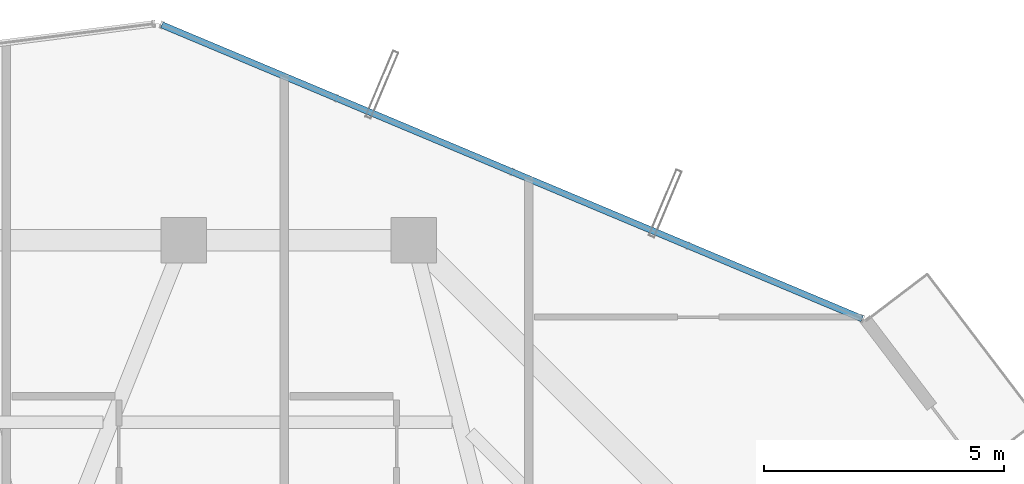
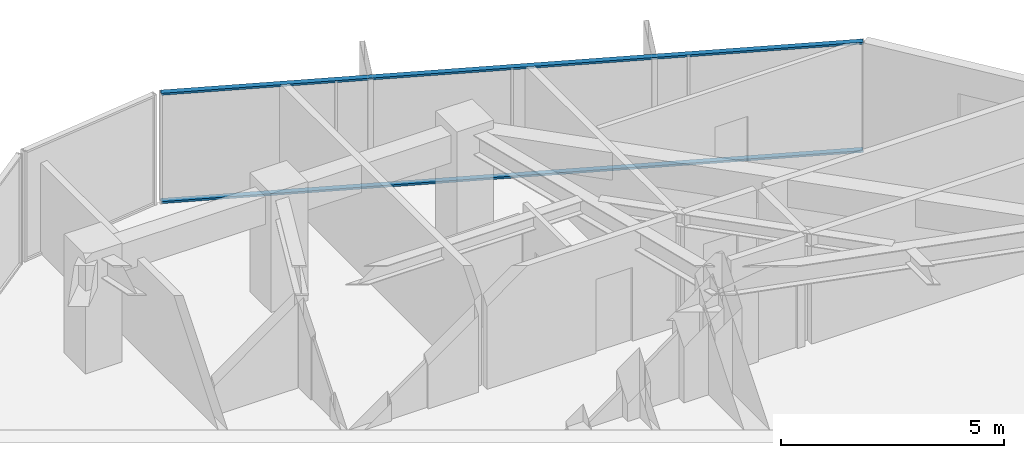
# One storey, part 25 of 32: 2 members, 1 element without a shape of its own.
"""IFC4 building model written with IfcOpenShell, lengths in metres."""

from ifc_helpers import new_model, si_unit, direction, frame, origin, origin_2d, place, context, subcontext, project, spatial, hollow_rectangle, extrude, source, transform, mapped, material, layer, layer_set, material_profile, profile_set, type_object, element, aggregate, save


model = new_model("IFC4")

# Units and contexts
model_context = context("Model", 3, precision=1e-05, world=origin(), true_north=direction((0.0, 1.0)))
body_context = subcontext(model_context, "Body", "Model", "MODEL_VIEW")
ifc_project = project(units=[si_unit("LENGTHUNIT", "METRE"), si_unit("AREAUNIT", "SQUARE_METRE"), si_unit("VOLUMEUNIT", "CUBIC_METRE"), si_unit("PLANEANGLEUNIT", "RADIAN"), si_unit("MASSUNIT", "GRAM", prefix="KILO")], contexts=[model_context])

# Site, building, storey
site_placement = place(None, origin())
site = spatial("IfcSite", under=ifc_project, at=site_placement, CompositionType="ELEMENT")
building_placement = place(site_placement, origin())
building = spatial("IfcBuilding", under=site, at=building_placement, Name="Veraguas Prism Commons", CompositionType="ELEMENT")
storey_placement = place(building_placement, frame((0.0, 0.0, 182.10009765625)))
storey = spatial("IfcBuildingStorey", under=building, at=storey_placement, Name="L51", CompositionType="ELEMENT", Elevation=182.10009765625)

# Curtain wall, members
ifc_material = material(Name="Anodised aluminium EN AW-6063 T6", Category="aluminium")
ifc_layer = layer(ifc_material, 0.14990234375, Name="Unitised Flush Curtain Wall Zone 3", Category="aluminium")
ifc_layer_set = layer_set([ifc_layer], Name="Anodised aluminium EN AW-6063 T6")
curtain_wall_type = type_object("IfcCurtainWallType", Name="Unitised Flush Curtain Wall Zone 3", PredefinedType="NOTDEFINED", material=ifc_layer_set)
curtain_wall_placement = place(storey_placement, origin())
curtain_wall = element("IfcCurtainWall", 1, at=curtain_wall_placement, inside=storey, type_object=curtain_wall_type, Name="Tower Facade Curtain Wall L51-F1", PredefinedType="NOTDEFINED")
ifc_material_profile = material_profile(ifc_material, hollow_rectangle(XDim=0.054931640625, YDim=0.135009765625, WallThickness=0.0029296875, at=origin_2d()), Name="AL55X135X3")
ifc_profile_set = profile_set([ifc_material_profile], Name="Anodised aluminium EN AW-6063 T6")
member_type = type_object("IfcMemberType", Name="Curtain Wall Transom Standard AL 55x135x3", PredefinedType="USERDEFINED", material=ifc_profile_set)
shared_shape = source(origin(), body_context, "Body", "SweptSolid", [
    extrude(hollow_rectangle(XDim=0.054931640625, YDim=0.135009765625, WallThickness=0.0029296875, at=origin_2d()), origin(), (0.0, 0.0, 1.0), 15.842529296875),
])
member_1_placement = place(storey_placement, frame((38.156005859375, 37.2666015625, 0.02734375), z_axis=(-0.92213036811, 0.386879288937, 0.0), x_axis=(0.0, 0.0, 1.0)))
member_1 = element("IfcMember", 2, at=member_1_placement, type_object=member_type, Name="CW-Z3 Transom 1", ObjectType="TRANSOM", PredefinedType="USERDEFINED", context=body_context, shape_type="MappedRepresentation", body=[
    mapped(shared_shape, transform((0.0, 0.0, 0.0), scale=1.0)),
])
member_2_placement = place(storey_placement, frame((38.156005859375, 37.2666015625, 2.9873046875), z_axis=(-0.92213036811, 0.386879288937, 0.0), x_axis=(0.0, 0.0, 1.0)))
member_2 = element("IfcMember", 3, at=member_2_placement, type_object=member_type, Name="CW-Z3 Transom 2", ObjectType="TRANSOM", PredefinedType="USERDEFINED", context=body_context, shape_type="MappedRepresentation", body=[
    mapped(shared_shape, transform((0.0, 0.0, 0.0), scale=1.0)),
])
aggregate(curtain_wall, [member_1, member_2])

save(model, "model.ifc")
